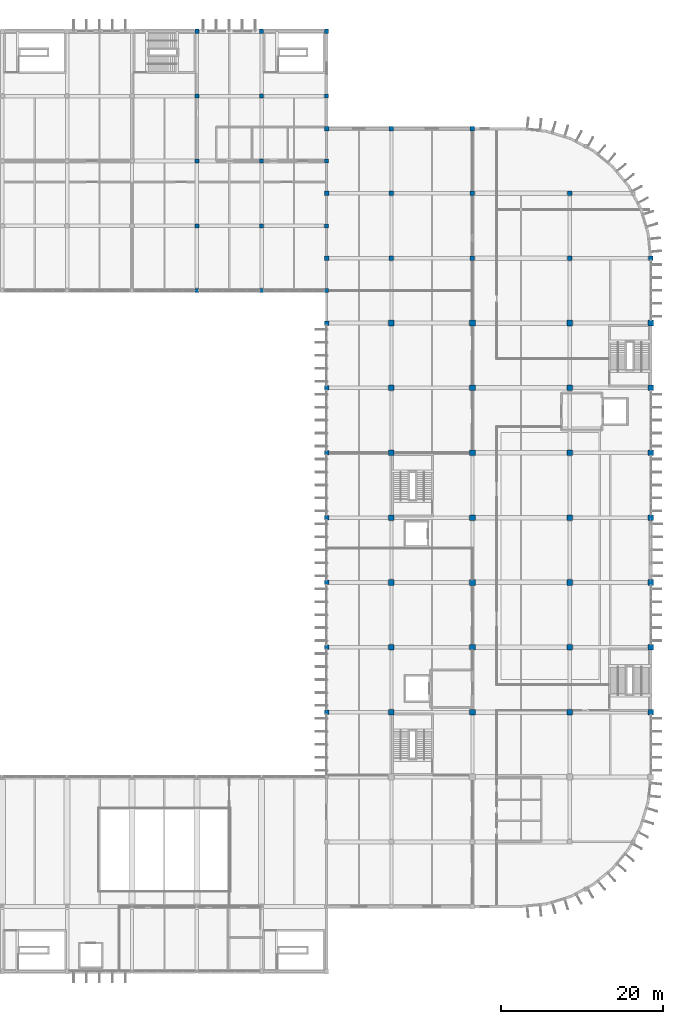
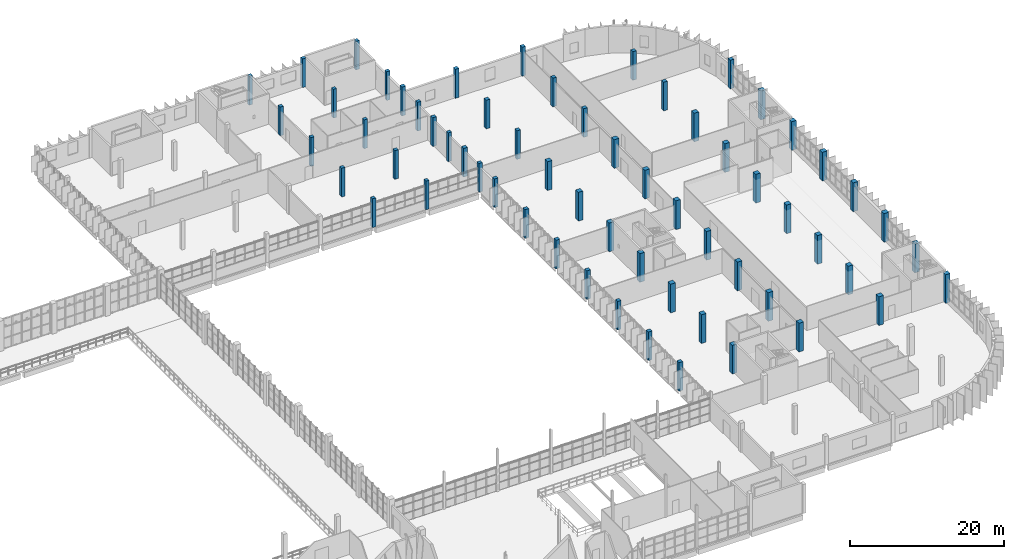
# One storey, part 11 of 93: 62 columns.
"""IFC4 building model written with IfcOpenShell, lengths in metres."""

from ifc_helpers import new_model, si_unit, direction, frame, origin, origin_2d, place, context, subcontext, project, spatial, rectangle, extrude, material, material_profile, profile_set, type_object, element, save


model = new_model("IFC4")

# Units and contexts
model_context = context("Model", 3, precision=1e-05, world=origin(), true_north=direction((0.0, 1.0)))
body_context = subcontext(model_context, "Body", "Model", "MODEL_VIEW")
ifc_project = project(units=[si_unit("LENGTHUNIT", "METRE"), si_unit("AREAUNIT", "SQUARE_METRE"), si_unit("VOLUMEUNIT", "CUBIC_METRE"), si_unit("PLANEANGLEUNIT", "RADIAN"), si_unit("MASSUNIT", "GRAM", prefix="KILO")], contexts=[model_context])

# Site, building, storey
site_placement = place(None, origin())
site = spatial("IfcSite", under=ifc_project, at=site_placement, CompositionType="ELEMENT")
building_placement = place(site_placement, origin())
building = spatial("IfcBuilding", under=site, at=building_placement, Name="Drelvana Railside Aquatics Centre", CompositionType="ELEMENT")
storey_placement = place(building_placement, frame((0.0, 0.0, 5.39990234375)))
storey = spatial("IfcBuildingStorey", under=building, at=storey_placement, Name="L01", CompositionType="ELEMENT", Elevation=5.39990234375)

# Columns
ifc_material = material(Name="Concrete C40/50", Category="concrete")
ifc_material_profile_1 = material_profile(ifc_material, rectangle(XDim=0.5, YDim=0.5, at=origin_2d()), Name="RC 500x500")
ifc_profile_set_1 = profile_set([ifc_material_profile_1], Name="Concrete C40/50")
column_type_1 = type_object("IfcColumnType", Name="STR-COL-RC-500x500", PredefinedType="COLUMN", material=ifc_profile_set_1)
for number, where, z_axis, x_axis, name in (
    (1, (128.0, 84.0, 0.0), (0.0, 0.0, 1.0), (1.0, 0.0, 0.0), "Column C-02 (L01)"),
    (2, (128.0, 92.0, 0.0), (0.0, 0.0, 1.0), (1.0, 0.0, 0.0), "Column C-02 (L01)"),
    (3, (128.0, 100.0, 0.0), (0.0, 0.0, 1.0), (1.0, 0.0, 0.0), "Column C-02 (L01)"),
    (4, (128.0, 108.0, 0.0), (0.0, 0.0, 1.0), (1.0, 0.0, 0.0), "Column C-02 (L01)"),
):
    element("IfcColumn", number, at=place(storey_placement, frame(where, z_axis=z_axis, x_axis=x_axis)), inside=storey, type_object=column_type_1, Name=name, PredefinedType="COLUMN", context=body_context, shape_type="SweptSolid", body=[
        extrude(rectangle(XDim=0.5, YDim=0.5, at=origin_2d()), origin(), (0.0, 0.0, 1.0), 4.570068359375),
    ])
column_1_placement = place(storey_placement, frame((128.0, 116.0, 0.0), z_axis=(0.0, 0.0, 1.0), x_axis=(1.0, 0.0, 0.0)))
element("IfcColumn", 5, at=column_1_placement, inside=storey, type_object=column_type_1, Name="Column C-02 (L01)", PredefinedType="COLUMN", context=body_context, shape_type="SweptSolid", body=[
    extrude(rectangle(XDim=0.5, YDim=0.5, at=origin_2d()), origin(), (0.0, 0.0, 1.0), 4.585205078125),
])
for number, where, z_axis, x_axis, name in (
    (6, (136.0, 84.0, 0.0), (0.0, 0.0, 1.0), (1.0, 0.0, 0.0), "Column C-02 (L01)"),
    (7, (136.0, 92.0, 0.0), (0.0, 0.0, 1.0), (1.0, 0.0, 0.0), "Column C-02 (L01)"),
    (8, (136.0, 100.0, 0.0), (0.0, 0.0, 1.0), (1.0, 0.0, 0.0), "Column C-02 (L01)"),
    (9, (136.0, 108.0, 0.0), (0.0, 0.0, 1.0), (1.0, 0.0, 0.0), "Column C-02 (L01)"),
):
    element("IfcColumn", number, at=place(storey_placement, frame(where, z_axis=z_axis, x_axis=x_axis)), inside=storey, type_object=column_type_1, Name=name, PredefinedType="COLUMN", context=body_context, shape_type="SweptSolid", body=[
        extrude(rectangle(XDim=0.5, YDim=0.5, at=origin_2d()), origin(), (0.0, 0.0, 1.0), 4.570068359375),
    ])
column_2_placement = place(storey_placement, frame((136.0, 116.0, 0.0), z_axis=(0.0, 0.0, 1.0), x_axis=(1.0, 0.0, 0.0)))
element("IfcColumn", 10, at=column_2_placement, inside=storey, type_object=column_type_1, Name="Column C-02 (L01)", PredefinedType="COLUMN", context=body_context, shape_type="SweptSolid", body=[
    extrude(rectangle(XDim=0.5, YDim=0.5, at=origin_2d()), origin(), (0.0, 0.0, 1.0), 4.550048828125),
])
for number, where, z_axis, x_axis, name in (
    (11, (144.0, 84.0, 0.0), (0.0, 0.0, 1.0), (1.0, 0.0, 0.0), "Column C-02 (L01)"),
    (12, (144.0, 92.0, 0.0), (0.0, 0.0, 1.0), (1.0, 0.0, 0.0), "Column C-02 (L01)"),
    (13, (144.0, 100.0, 0.0), (0.0, 0.0, 1.0), (1.0, 0.0, 0.0), "Column C-02 (L01)"),
    (14, (144.0, 108.0, 0.0), (0.0, 0.0, 1.0), (1.0, 0.0, 0.0), "Column C-02 (L01)"),
):
    element("IfcColumn", number, at=place(storey_placement, frame(where, z_axis=z_axis, x_axis=x_axis)), inside=storey, type_object=column_type_1, Name=name, PredefinedType="COLUMN", context=body_context, shape_type="SweptSolid", body=[
        extrude(rectangle(XDim=0.5, YDim=0.5, at=origin_2d()), origin(), (0.0, 0.0, 1.0), 4.570068359375),
    ])
column_3_placement = place(storey_placement, frame((144.0, 116.0, 0.0), z_axis=(0.0, 0.0, 1.0), x_axis=(1.0, 0.0, 0.0)))
element("IfcColumn", 15, at=column_3_placement, inside=storey, type_object=column_type_1, Name="Column C-02 (L01)", PredefinedType="COLUMN", context=body_context, shape_type="SweptSolid", body=[
    extrude(rectangle(XDim=0.5, YDim=0.5, at=origin_2d()), origin(), (0.0, 0.0, 1.0), 4.550048828125),
])
ifc_material_profile_2 = material_profile(ifc_material, rectangle(XDim=0.550048828125, YDim=0.550048828125, at=origin_2d()), Name="RC 550x550")
ifc_profile_set_2 = profile_set([ifc_material_profile_2], Name="Concrete C40/50")
column_type_2 = type_object("IfcColumnType", Name="STR-COL-RC-550x550", PredefinedType="COLUMN", material=ifc_profile_set_2)
for number, where, z_axis, x_axis, name in (
    (16, (144.0, 32.0, 0.0), (0.0, 0.0, 1.0), (1.0, 0.0, 0.0), "Column C-03 (L01)"),
    (17, (144.0, 40.0, 0.0), (0.0, 0.0, 1.0), (1.0, 0.0, 0.0), "Column C-03 (L01)"),
    (18, (144.0, 48.0, 0.0), (0.0, 0.0, 1.0), (1.0, 0.0, 0.0), "Column C-03 (L01)"),
    (19, (144.0, 56.0, 0.0), (0.0, 0.0, 1.0), (1.0, 0.0, 0.0), "Column C-03 (L01)"),
    (20, (144.0, 64.0, 0.0), (0.0, 0.0, 1.0), (1.0, 0.0, 0.0), "Column C-03 (L01)"),
    (21, (144.0, 72.0, 0.0), (0.0, 0.0, 1.0), (1.0, 0.0, 0.0), "Column C-03 (L01)"),
    (22, (144.0, 80.0, 0.0), (0.0, 0.0, 1.0), (1.0, 0.0, 0.0), "Column C-03 (L01)"),
):
    element("IfcColumn", number, at=place(storey_placement, frame(where, z_axis=z_axis, x_axis=x_axis)), inside=storey, type_object=column_type_2, Name=name, PredefinedType="COLUMN", context=body_context, shape_type="SweptSolid", body=[
        extrude(rectangle(XDim=0.550048828125, YDim=0.550048828125, at=origin_2d()), origin(), (0.0, 0.0, 1.0), 4.550048828125),
    ])
column_4_placement = place(storey_placement, frame((144.0, 88.0, 0.0), z_axis=(0.0, 0.0, 1.0), x_axis=(1.0, 0.0, 0.0)))
element("IfcColumn", 23, at=column_4_placement, inside=storey, type_object=column_type_2, Name="Column C-03 (L01)", PredefinedType="COLUMN", context=body_context, shape_type="SweptSolid", body=[
    extrude(rectangle(XDim=0.550048828125, YDim=0.550048828125, at=origin_2d()), origin(), (0.0, 0.0, 1.0), 4.570068359375),
])
for number, where, z_axis, x_axis, name in (
    (24, (152.0, 88.0, 0.0), (0.0, 0.0, 1.0), (1.0, 0.0, 0.0), "Column C-03 (L01)"),
    (25, (162.0, 88.0, 0.0), (0.0, 0.0, 1.0), (1.0, 0.0, 0.0), "Column C-03 (L01)"),
    (26, (174.0, 88.0, 0.0), (0.0, 0.0, 1.0), (1.0, 0.0, 0.0), "Column C-03 (L01)"),
    (27, (184.0, 88.0, 0.0), (0.0, 0.0, 1.0), (1.0, 0.0, 0.0), "Column C-03 (L01)"),
):
    element("IfcColumn", number, at=place(storey_placement, frame(where, z_axis=z_axis, x_axis=x_axis)), inside=storey, type_object=column_type_2, Name=name, PredefinedType="COLUMN", context=body_context, shape_type="SweptSolid", body=[
        extrude(rectangle(XDim=0.550048828125, YDim=0.550048828125, at=origin_2d()), origin(), (0.0, 0.0, 1.0), 4.550048828125),
    ])
column_5_placement = place(storey_placement, frame((144.0, 96.0, 0.0), z_axis=(0.0, 0.0, 1.0), x_axis=(1.0, 0.0, 0.0)))
element("IfcColumn", 28, at=column_5_placement, inside=storey, type_object=column_type_2, Name="Column C-03 (L01)", PredefinedType="COLUMN", context=body_context, shape_type="SweptSolid", body=[
    extrude(rectangle(XDim=0.550048828125, YDim=0.550048828125, at=origin_2d()), origin(), (0.0, 0.0, 1.0), 4.570068359375),
])
for number, where, z_axis, x_axis, name in (
    (29, (152.0, 96.0, 0.0), (0.0, 0.0, 1.0), (1.0, 0.0, 0.0), "Column C-03 (L01)"),
    (30, (162.0, 96.0, 0.0), (0.0, 0.0, 1.0), (1.0, 0.0, 0.0), "Column C-03 (L01)"),
    (31, (174.0, 96.0, 0.0), (0.0, 0.0, 1.0), (1.0, 0.0, 0.0), "Column C-03 (L01)"),
):
    element("IfcColumn", number, at=place(storey_placement, frame(where, z_axis=z_axis, x_axis=x_axis)), inside=storey, type_object=column_type_2, Name=name, PredefinedType="COLUMN", context=body_context, shape_type="SweptSolid", body=[
        extrude(rectangle(XDim=0.550048828125, YDim=0.550048828125, at=origin_2d()), origin(), (0.0, 0.0, 1.0), 4.550048828125),
    ])
column_6_placement = place(storey_placement, frame((144.0, 104.0, 0.0), z_axis=(0.0, 0.0, 1.0), x_axis=(1.0, 0.0, 0.0)))
element("IfcColumn", 32, at=column_6_placement, inside=storey, type_object=column_type_2, Name="Column C-03 (L01)", PredefinedType="COLUMN", context=body_context, shape_type="SweptSolid", body=[
    extrude(rectangle(XDim=0.550048828125, YDim=0.550048828125, at=origin_2d()), origin(), (0.0, 0.0, 1.0), 4.570068359375),
])
for number, where, z_axis, x_axis, name in (
    (33, (152.0, 104.0, 0.0), (0.0, 0.0, 1.0), (1.0, 0.0, 0.0), "Column C-03 (L01)"),
    (34, (162.0, 104.0, 0.0), (0.0, 0.0, 1.0), (1.0, 0.0, 0.0), "Column C-03 (L01)"),
):
    element("IfcColumn", number, at=place(storey_placement, frame(where, z_axis=z_axis, x_axis=x_axis)), inside=storey, type_object=column_type_2, Name=name, PredefinedType="COLUMN", context=body_context, shape_type="SweptSolid", body=[
        extrude(rectangle(XDim=0.550048828125, YDim=0.550048828125, at=origin_2d()), origin(), (0.0, 0.0, 1.0), 4.590087890625),
    ])
ifc_material_profile_3 = material_profile(ifc_material, rectangle(XDim=0.699951171875, YDim=0.699951171875, at=origin_2d()), Name="RC 700x700")
ifc_profile_set_3 = profile_set([ifc_material_profile_3], Name="Concrete C40/50")
column_type_3 = type_object("IfcColumnType", Name="STR-COL-RC-700x700", PredefinedType="COLUMN", material=ifc_profile_set_3)
for number, where, z_axis, x_axis, name in (
    (35, (152.0, 32.0, 0.0), (0.0, 0.0, 1.0), (1.0, 0.0, 0.0), "Column C-06 (L01)"),
    (36, (162.0, 32.0, 0.0), (0.0, 0.0, 1.0), (1.0, 0.0, 0.0), "Column C-06 (L01)"),
    (37, (174.0, 32.0, 0.0), (0.0, 0.0, 1.0), (1.0, 0.0, 0.0), "Column C-06 (L01)"),
    (38, (184.0, 32.0, 0.0), (0.0, 0.0, 1.0), (1.0, 0.0, 0.0), "Column C-06 (L01)"),
    (39, (152.0, 40.0, 0.0), (0.0, 0.0, 1.0), (1.0, 0.0, 0.0), "Column C-06 (L01)"),
    (40, (162.0, 40.0, 0.0), (0.0, 0.0, 1.0), (1.0, 0.0, 0.0), "Column C-06 (L01)"),
    (41, (174.0, 40.0, 0.0), (0.0, 0.0, 1.0), (1.0, 0.0, 0.0), "Column C-06 (L01)"),
    (42, (184.0, 40.0, 0.0), (0.0, 0.0, 1.0), (1.0, 0.0, 0.0), "Column C-06 (L01)"),
    (43, (152.0, 48.0, 0.0), (0.0, 0.0, 1.0), (1.0, 0.0, 0.0), "Column C-06 (L01)"),
    (44, (162.0, 48.0, 0.0), (0.0, 0.0, 1.0), (1.0, 0.0, 0.0), "Column C-06 (L01)"),
    (45, (174.0, 48.0, 0.0), (0.0, 0.0, 1.0), (1.0, 0.0, 0.0), "Column C-06 (L01)"),
    (46, (184.0, 48.0, 0.0), (0.0, 0.0, 1.0), (1.0, 0.0, 0.0), "Column C-06 (L01)"),
    (47, (152.0, 56.0, 0.0), (0.0, 0.0, 1.0), (1.0, 0.0, 0.0), "Column C-06 (L01)"),
    (48, (162.0, 56.0, 0.0), (0.0, 0.0, 1.0), (1.0, 0.0, 0.0), "Column C-06 (L01)"),
    (49, (174.0, 56.0, 0.0), (0.0, 0.0, 1.0), (1.0, 0.0, 0.0), "Column C-06 (L01)"),
    (50, (184.0, 56.0, 0.0), (0.0, 0.0, 1.0), (1.0, 0.0, 0.0), "Column C-06 (L01)"),
    (51, (152.0, 64.0, 0.0), (0.0, 0.0, 1.0), (1.0, 0.0, 0.0), "Column C-06 (L01)"),
    (52, (162.0, 64.0, 0.0), (0.0, 0.0, 1.0), (1.0, 0.0, 0.0), "Column C-06 (L01)"),
    (53, (174.0, 64.0, 0.0), (0.0, 0.0, 1.0), (1.0, 0.0, 0.0), "Column C-06 (L01)"),
    (54, (184.0, 64.0, 0.0), (0.0, 0.0, 1.0), (1.0, 0.0, 0.0), "Column C-06 (L01)"),
    (55, (152.0, 72.0, 0.0), (0.0, 0.0, 1.0), (1.0, 0.0, 0.0), "Column C-06 (L01)"),
    (56, (162.0, 72.0, 0.0), (0.0, 0.0, 1.0), (1.0, 0.0, 0.0), "Column C-06 (L01)"),
    (57, (174.0, 72.0, 0.0), (0.0, 0.0, 1.0), (1.0, 0.0, 0.0), "Column C-06 (L01)"),
    (58, (184.0, 72.0, 0.0), (0.0, 0.0, 1.0), (1.0, 0.0, 0.0), "Column C-06 (L01)"),
    (59, (152.0, 80.0, 0.0), (0.0, 0.0, 1.0), (1.0, 0.0, 0.0), "Column C-06 (L01)"),
    (60, (162.0, 80.0, 0.0), (0.0, 0.0, 1.0), (1.0, 0.0, 0.0), "Column C-06 (L01)"),
    (61, (174.0, 80.0, 0.0), (0.0, 0.0, 1.0), (1.0, 0.0, 0.0), "Column C-06 (L01)"),
    (62, (184.0, 80.0, 0.0), (0.0, 0.0, 1.0), (1.0, 0.0, 0.0), "Column C-06 (L01)"),
):
    element("IfcColumn", number, at=place(storey_placement, frame(where, z_axis=z_axis, x_axis=x_axis)), inside=storey, type_object=column_type_3, Name=name, PredefinedType="COLUMN", context=body_context, shape_type="SweptSolid", body=[
        extrude(rectangle(XDim=0.699951171875, YDim=0.699951171875, at=origin_2d()), origin(), (0.0, 0.0, 1.0), 4.550048828125),
    ])

save(model, "model.ifc")
